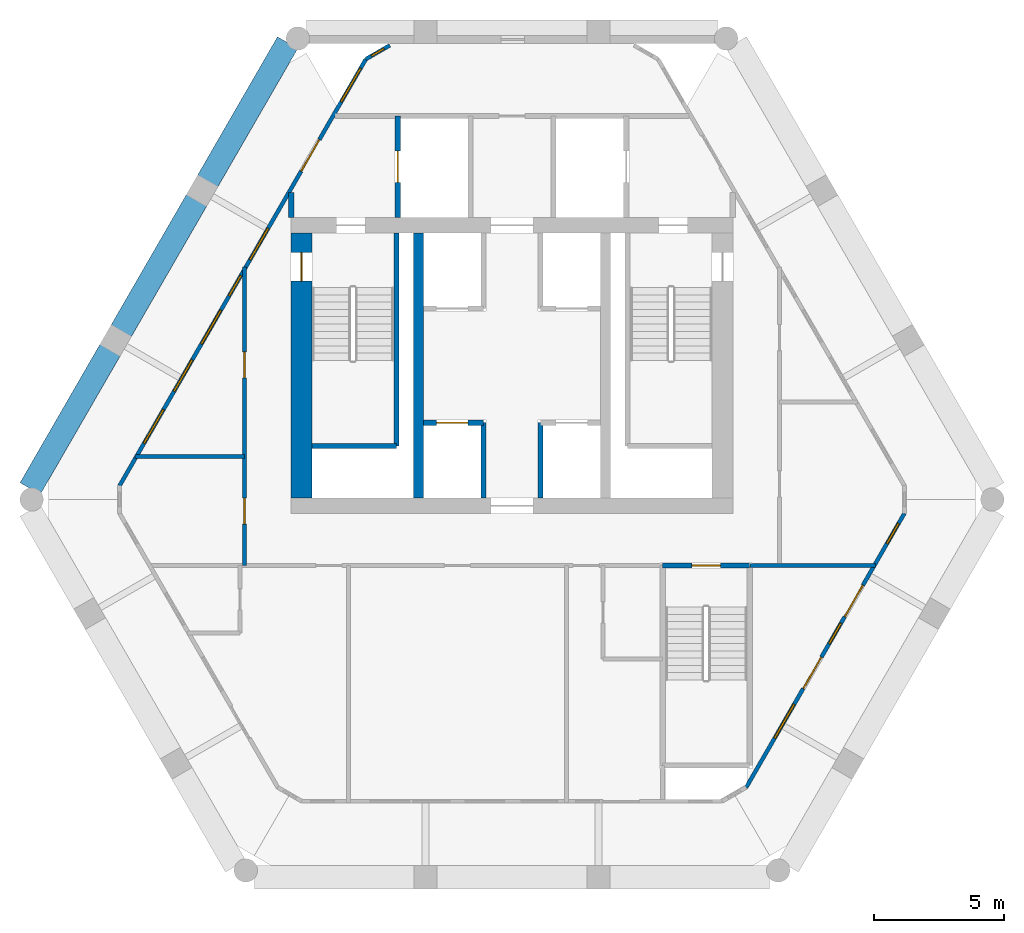
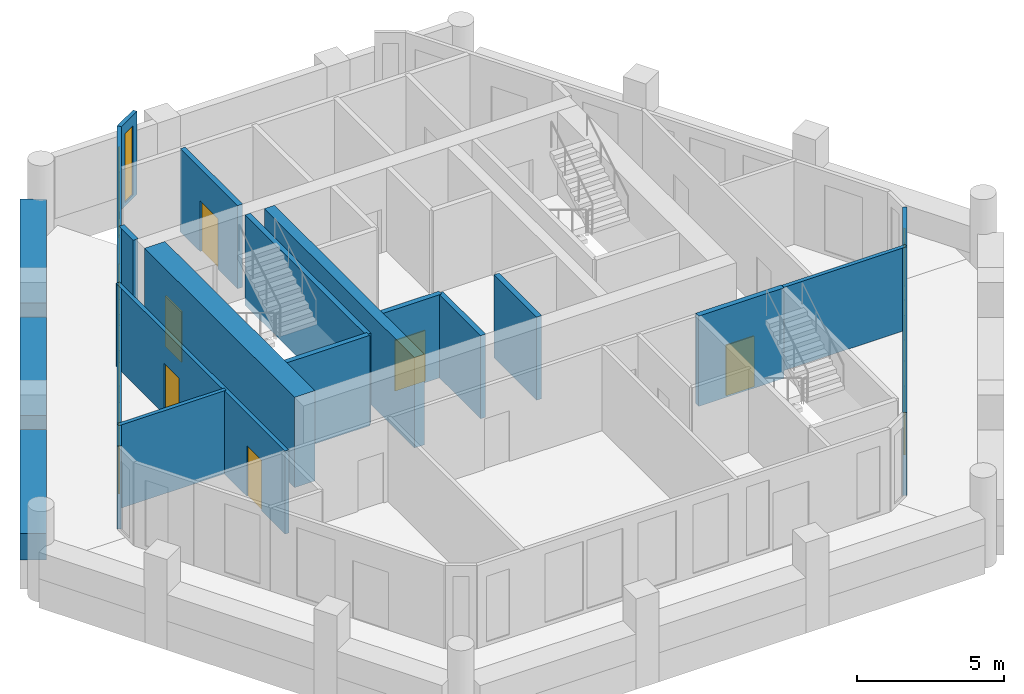
# One storey, part 3 of 6: 19 walls, 10 windows, 9 doors, 19 openings.
"""IFC4 building model written with IfcOpenShell, lengths in metres."""

import ifcopenshell
import ifcopenshell.guid

model = None  # the IFC model being written
_history = None  # IfcOwnerHistory: only IFC2X3 demands one
_inside = {}  # id of a spatial element -> (the spatial element, [elements in it])
_under = {}  # id of a project, library or spatial element -> (it, [spatial elements below it])
_declared = {}  # id of a project -> (the project, [libraries it declares])
_typed = {}  # id of a type object -> (the type object, [elements of that type])
_made_of = {}  # id of a material, layer set ... -> (it, [elements and type objects made of it])


def new_model(schema):
    """Start an empty IFC model of exactly this schema.

    Asked for "IFC4X3", IfcOpenShell would pick the latest addendum, in which some entities
    have other attributes; the version numbers below select the first issue.
    IFC2X3 requires an IfcOwnerHistory on every rooted entity: one is made here for all.
    """
    global model, _history
    if schema == "IFC4X3":
        model = ifcopenshell.file(schema_version=(4, 3, 0, 0))
    else:
        model = ifcopenshell.file(schema=schema)
    _inside.clear()
    _under.clear()
    _declared.clear()
    _typed.clear()
    _made_of.clear()
    _history = None
    if model.schema == "IFC2X3":
        org = make("IfcOrganization", Name="unknown")
        user = make(
            "IfcPersonAndOrganization",
            ThePerson=make("IfcPerson", FamilyName="unknown"),
            TheOrganization=org,
        )
        app = make(
            "IfcApplication",
            ApplicationDeveloper=org,
            Version="unknown",
            ApplicationFullName="unknown",
            ApplicationIdentifier="unknown",
        )
        _history = make(
            "IfcOwnerHistory",
            OwningUser=user,
            OwningApplication=app,
            ChangeAction="ADDED",
            CreationDate=0,
        )
    return model


def make(cls, **values):
    """One entity of the class cls with the attributes given. An attribute that is None is left unset."""
    return model.create_entity(
        cls, **{name: value for name, value in values.items() if value is not None}
    )


def rooted(cls, **values):
    """An entity with a GlobalId (a new one), such as an element, a storey or a relation."""
    return make(cls, GlobalId=ifcopenshell.guid.new(), OwnerHistory=_history, **values)


def si_unit(unit_type, name, prefix=None):
    """IfcSIUnit, for example si_unit("LENGTHUNIT", "METRE", prefix="MILLI")."""
    return make("IfcSIUnit", UnitType=unit_type, Prefix=prefix, Name=name)


def assignment(units):
    """IfcUnitAssignment: the units of a project."""
    return None if units is None else make("IfcUnitAssignment", Units=units)


def point(xyz):
    """IfcCartesianPoint."""
    return None if xyz is None else make("IfcCartesianPoint", Coordinates=xyz)


def direction(xyz):
    """IfcDirection."""
    return None if xyz is None else make("IfcDirection", DirectionRatios=xyz)


def frame(location, z_axis=None, x_axis=None):
    """IfcAxis2Placement3D, a coordinate frame: its origin and axes. An axis left out is left unset."""
    return make(
        "IfcAxis2Placement3D",
        Location=point(location),
        Axis=direction(z_axis),
        RefDirection=direction(x_axis),
    )


def frame_2d(location, x_axis=None):
    """IfcAxis2Placement2D, a coordinate frame in the plane: its origin and x axis."""
    return make(
        "IfcAxis2Placement2D", Location=point(location), RefDirection=direction(x_axis)
    )


def origin():
    """The frame at (0, 0, 0) with its axes left unset."""
    return frame((0.0, 0.0, 0.0))


def place(relative_to, where):
    """IfcLocalPlacement: puts the frame where relative to a parent placement (None: the world)."""
    return make(
        "IfcLocalPlacement", PlacementRelTo=relative_to, RelativePlacement=where
    )


def context(
    kind, dimensions, precision=None, world=None, true_north=None, identifier=None
):
    """IfcGeometricRepresentationContext, for example the 3D "Model" context."""
    return make(
        "IfcGeometricRepresentationContext",
        ContextIdentifier=identifier,
        ContextType=kind,
        CoordinateSpaceDimension=dimensions,
        Precision=precision,
        WorldCoordinateSystem=world,
        TrueNorth=true_north,
    )


def subcontext(parent, identifier, kind, view, scale=None):
    """IfcGeometricRepresentationSubContext, for example "Body" below "Model"."""
    return make(
        "IfcGeometricRepresentationSubContext",
        ContextIdentifier=identifier,
        ContextType=kind,
        ParentContext=parent,
        TargetScale=scale,
        TargetView=view,
    )


def project(units=None, contexts=None):
    """IfcProject with its units and contexts."""
    return rooted(
        "IfcProject",
        Name="project",
        RepresentationContexts=contexts,
        UnitsInContext=assignment(units),
    )


def spatial(cls, under=None, at=None, **own):
    """A site, building, storey or space (cls), placed at a placement, below another one or the project."""
    s = rooted(cls, ObjectPlacement=at, **own)
    if under is not None:
        _under.setdefault(under.id(), (under, []))[1].append(s)
    return s


def profile(cls, at=None, kind="AREA", **sizes):
    """A parametric profile (cls). Its sizes go by their IFC names, for example OverallWidth=200.0."""
    return make(cls, ProfileType=kind, Position=at, **sizes)


def rectangle(**sizes):
    """IfcRectangleProfileDef."""
    return profile("IfcRectangleProfileDef", **sizes)


def extrude(swept, where, along, depth):
    """IfcExtrudedAreaSolid: the profile swept, set in the frame where, extruded along a direction by depth."""
    return make(
        "IfcExtrudedAreaSolid",
        SweptArea=swept,
        Position=where,
        ExtrudedDirection=direction(along),
        Depth=depth,
    )


def shape(context_of_items, identifier, shape_type, items):
    """IfcShapeRepresentation: the items that make up one representation, for example the "Body"."""
    return make(
        "IfcShapeRepresentation",
        ContextOfItems=context_of_items,
        RepresentationIdentifier=identifier,
        RepresentationType=shape_type,
        Items=items,
    )


def material(Name=None, Category=None):
    """IfcMaterial."""
    return make("IfcMaterial", Name=Name, Category=Category)


def layer(
    of_material, thickness, ventilated=None, Name=None, Category=None, Priority=None
):
    """IfcMaterialLayer: one layer of a wall or slab, of a material (None: an air gap)."""
    return make(
        "IfcMaterialLayer",
        Material=of_material,
        LayerThickness=thickness,
        IsVentilated=ventilated,
        Name=Name,
        Category=Category,
        Priority=Priority,
    )


def layer_set(layers, Name=None):
    """IfcMaterialLayerSet."""
    return make("IfcMaterialLayerSet", MaterialLayers=layers, LayerSetName=Name)


def made_of(thing, what):
    """Note that an element or type object is made of a material, layer set ...; save() writes the relation."""
    if what is not None:
        _made_of.setdefault(what.id(), (what, []))[1].append(thing)
    return thing


def type_object(cls, material=None, **own):
    """A type object (cls), such as IfcWallType, which elements share."""
    return made_of(rooted(cls, **own), material)


def element(
    cls,
    number,
    at=None,
    inside=None,
    cuts=None,
    type_object=None,
    material=None,
    context=None,
    identifier="Body",
    shape_type=None,
    held_by="IfcProductDefinitionShape",
    body=None,
    shapes=None,
    **own,
):
    """One element of the class cls, such as IfcWall. Its Tag is "e" and its number.

    at: its placement. inside: the storey or other place that contains it. cuts: it is an
    opening in that element (IfcRelVoidsElement). A single representation is given by context,
    identifier, shape_type and body (its items); several are given by shapes. held_by: the class
    of the entity that holds the representations. save() writes the other relations.
    """
    e = rooted(cls, Tag="e%d" % number, ObjectPlacement=at, **own)
    if body is not None:
        shapes = [shape(context, identifier, shape_type, body)]
    if shapes is not None:
        e.Representation = make(held_by, Representations=shapes)
    if inside is not None:
        _inside.setdefault(inside.id(), (inside, []))[1].append(e)
    if cuts is not None:
        rooted(
            "IfcRelVoidsElement", RelatingBuildingElement=cuts, RelatedOpeningElement=e
        )
    if type_object is not None:
        _typed.setdefault(type_object.id(), (type_object, []))[1].append(e)
    return made_of(e, material)


def fill(opening, filler):
    """IfcRelFillsElement: the door or window that sits in an opening."""
    return rooted(
        "IfcRelFillsElement",
        RelatingOpeningElement=opening,
        RelatedBuildingElement=filler,
    )


def aggregate(whole, parts):
    """IfcRelAggregates: a whole, such as a stair, and the parts it consists of."""
    return rooted("IfcRelAggregates", RelatingObject=whole, RelatedObjects=parts)


def save(model, path):
    """Write the relations noted so far, then the file.

    IfcRelAggregates (storeys below a building ...), IfcRelContainedInSpatialStructure (elements
    in a storey), IfcRelDefinesByType, IfcRelAssociatesMaterial and IfcRelDeclares: one each for
    every whole, place, type object, material and project.
    """
    for whole, parts in _under.values():
        aggregate(whole, parts)
    for where, things in _inside.values():
        rooted(
            "IfcRelContainedInSpatialStructure",
            RelatedElements=things,
            RelatingStructure=where,
        )
    for kind, things in _typed.values():
        rooted("IfcRelDefinesByType", RelatedObjects=things, RelatingType=kind)
    for what, things in _made_of.values():
        rooted("IfcRelAssociatesMaterial", RelatedObjects=things, RelatingMaterial=what)
    for by, libraries in _declared.values():
        rooted("IfcRelDeclares", RelatingContext=by, RelatedDefinitions=libraries)
    model.write(path)


model = new_model("IFC4")

# Units and contexts
model_context = context("Model", 3, precision=1e-05, world=origin(), true_north=direction((0.0, 1.0)))
body_context = subcontext(model_context, "Body", "Model", "MODEL_VIEW")
ifc_project = project(units=[si_unit("LENGTHUNIT", "METRE"), si_unit("AREAUNIT", "SQUARE_METRE"), si_unit("VOLUMEUNIT", "CUBIC_METRE"), si_unit("PLANEANGLEUNIT", "RADIAN"), si_unit("MASSUNIT", "GRAM", prefix="KILO")], contexts=[model_context])

# Site, building, storey
site_placement = place(None, origin())
site = spatial("IfcSite", under=ifc_project, at=site_placement, CompositionType="ELEMENT")
building_placement = place(site_placement, origin())
building = spatial("IfcBuilding", under=site, at=building_placement, Name="Ostrander Bayou Hotel Tower", CompositionType="ELEMENT")
storey_placement = place(building_placement, frame((0.0, 0.0, 271.25)))
storey = spatial("IfcBuildingStorey", under=building, at=storey_placement, Name="L67", CompositionType="ELEMENT", Elevation=271.25)

# Wall, opening, door
ifc_material_1 = material(Name="Concrete f'c 60 MPa", Category="concrete")
ifc_layer_1 = layer(ifc_material_1, 0.800048828125)
ifc_layer_set_1 = layer_set([ifc_layer_1], Name="CW11 core spine wall 800 mm f'c 60 MPa")
wall_type_1 = type_object("IfcWallType", Name="CW11 core spine wall 800 mm f'c 60 MPa", PredefinedType="SHEAR", material=ifc_layer_set_1)
wall_1_placement = place(storey_placement, frame((-8.10009765625, -1.10009765625, -0.300048828125), z_axis=(0.0, 0.0, 1.0), x_axis=(0.0, 1.0, 0.0)))
wall_1 = element("IfcWall", 1, at=wall_1_placement, inside=storey, type_object=wall_type_1, Name="CW11 L67 W", PredefinedType="SHEAR", context=body_context, shape_type="SweptSolid", body=[
    extrude(rectangle(XDim=10.2001953125, YDim=0.800048828125, at=frame_2d((5.10009765625, 0.0))), origin(), (0.0, 0.0, 1.0), 3.75),
])
opening_1_placement = place(wall_1_placement, frame((8.35009765625, 0.0, 0.0)))
opening_1 = element("IfcOpeningElement", 2, at=opening_1_placement, cuts=wall_1, Name="Opening T66-008", PredefinedType="OPENING", context=body_context, shape_type="SweptSolid", body=[
    extrude(rectangle(XDim=1.10009765625, YDim=2.10009765625, at=frame_2d((0.550048828125, 1.050048828125))), frame((0.0, 0.39990234375, 0.0), z_axis=(0.0, -1.0, 0.0), x_axis=(1.0, 0.0, 0.0)), (0.0, 0.0, 1.0), 0.800048828125),
])
ifc_material_2 = material(Name="Timber door leaf", Category="wood")
door_type_1 = type_object("IfcDoorType", Name="D5 stair door 1100 x 2100 mm, 90 minute", OperationType="SINGLE_SWING_LEFT", PredefinedType="DOOR", material=ifc_material_2)
door_1_placement = place(opening_1_placement, origin())
door_1 = element("IfcDoor", 3, at=door_1_placement, inside=storey, type_object=door_type_1, Name="dr:L67:008", OperationType="SINGLE_SWING_RIGHT", OverallHeight=2.10009765625, OverallWidth=1.10009765625, PredefinedType="DOOR", context=body_context, shape_type="SweptSolid", body=[
    extrude(rectangle(XDim=1.10009765625, YDim=2.10009765625, at=frame_2d((0.550048828125, 1.050048828125))), frame((0.0, 0.02490234375, 0.0), z_axis=(0.0, -1.0, 0.0), x_axis=(1.0, 0.0, 0.0)), (0.0, 0.0, 1.0), 0.050048828125),
])
fill(opening_1, door_1)

# Wall
ifc_material_3 = material(Name="Concrete f'c 60 MPa", Category="concrete")
ifc_layer_2 = layer(ifc_material_3, 0.39990234375)
ifc_layer_set_2 = layer_set([ifc_layer_2], Name="CW12 core bank wall 400 mm f'c 60 MPa")
wall_type_2 = type_object("IfcWallType", Name="CW12 core bank wall 400 mm f'c 60 MPa", PredefinedType="SHEAR", material=ifc_layer_set_2)
wall_2_placement = place(storey_placement, frame((-3.60009765625, -1.10009765625, -0.300048828125), z_axis=(0.0, 0.0, 1.0), x_axis=(0.0, 1.0, 0.0)))
element("IfcWall", 4, at=wall_2_placement, inside=storey, type_object=wall_type_2, Name="CW12 L67 CW", PredefinedType="SHEAR", context=body_context, shape_type="SweptSolid", body=[
    extrude(rectangle(XDim=10.2001953125, YDim=0.39990234375, at=frame_2d((5.10009765625, 0.0))), origin(), (0.0, 0.0, 1.0), 3.75),
])

# Wall, openings, door, windows
ifc_material_4 = material(Name="Aluminium framed insulated wall", Category="aluminium")
ifc_layer_3 = layer(ifc_material_4, 0.14990234375)
ifc_layer_set_3 = layer_set([ifc_layer_3], Name="GW1 glass-line wall 150 mm")
wall_type_3 = type_object("IfcWallType", Name="GW1 glass-line wall 150 mm", PredefinedType="SOLIDWALL", material=ifc_layer_set_3)
wall_3_placement = place(storey_placement, frame((-5.6259765625, 15.79248046875, 0.0), z_axis=(0.0, 0.0, 1.0), x_axis=(-0.499998195608, -0.866026445548, 0.0)))
wall_3 = element("IfcWall", 5, at=wall_3_placement, inside=storey, type_object=wall_type_3, Name="GW1 L67 NW 1", PredefinedType="SOLIDWALL", context=body_context, shape_type="SweptSolid", body=[
    extrude(rectangle(XDim=18.9560546875, YDim=0.14990234375, at=frame_2d((9.47802734375, 0.0))), origin(), (0.0, 0.0, 1.0), 3.449951171875),
])
opening_2_placement = place(wall_3_placement, frame((3.577392578125, 0.0, 0.0)))
opening_2 = element("IfcOpeningElement", 6, at=opening_2_placement, cuts=wall_3, Name="Opening T66-800", PredefinedType="OPENING", context=body_context, shape_type="SweptSolid", body=[
    extrude(rectangle(XDim=1.39990234375, YDim=2.39990234375, at=frame_2d((0.699951171875, 1.199951171875))), frame((0.0, 0.074951171875, 0.0), z_axis=(0.0, -1.0, 0.0), x_axis=(1.0, 0.0, 0.0)), (0.0, 0.0, 1.0), 0.14990234375),
])
opening_3_placement = place(wall_3_placement, frame((9.6201171875, 0.0, 0.14990234375)))
opening_3 = element("IfcOpeningElement", 7, at=opening_3_placement, cuts=wall_3, Name="Opening W18", PredefinedType="OPENING", context=body_context, shape_type="SweptSolid", body=[
    extrude(rectangle(XDim=0.89990234375, YDim=2.85009765625, at=frame_2d((0.449951171875, 1.425048828125))), frame((0.0, 0.074951171875, 0.0), z_axis=(0.0, -1.0, 0.0), x_axis=(1.0, 0.0, 0.0)), (0.0, 0.0, 1.0), 0.14990234375),
])
opening_4_placement = place(wall_3_placement, frame((7.52001953125, 0.0, 0.14990234375)))
opening_4 = element("IfcOpeningElement", 8, at=opening_4_placement, cuts=wall_3, Name="Opening W14", PredefinedType="OPENING", context=body_context, shape_type="SweptSolid", body=[
    extrude(rectangle(XDim=1.39990234375, YDim=2.85009765625, at=frame_2d((0.699951171875, 1.425048828125))), frame((0.0, 0.074951171875, 0.0), z_axis=(0.0, -1.0, 0.0), x_axis=(1.0, 0.0, 0.0)), (0.0, 0.0, 1.0), 0.14990234375),
])
opening_5_placement = place(wall_3_placement, frame((11.163818359375, 0.0, 0.14990234375)))
opening_5 = element("IfcOpeningElement", 9, at=opening_5_placement, cuts=wall_3, Name="Opening W4", PredefinedType="OPENING", context=body_context, shape_type="SweptSolid", body=[
    extrude(rectangle(XDim=1.5, YDim=2.85009765625, at=frame_2d((0.75, 1.425048828125))), frame((0.0, 0.074951171875, 0.0), z_axis=(0.0, -1.0, 0.0), x_axis=(1.0, 0.0, 0.0)), (0.0, 0.0, 1.0), 0.14990234375),
])
opening_6_placement = place(wall_3_placement, frame((13.36376953125, 0.0, 0.14990234375)))
opening_6 = element("IfcOpeningElement", 10, at=opening_6_placement, cuts=wall_3, Name="Opening W14", PredefinedType="OPENING", context=body_context, shape_type="SweptSolid", body=[
    extrude(rectangle(XDim=1.39990234375, YDim=2.85009765625, at=frame_2d((0.699951171875, 1.425048828125))), frame((0.0, 0.074951171875, 0.0), z_axis=(0.0, -1.0, 0.0), x_axis=(1.0, 0.0, 0.0)), (0.0, 0.0, 1.0), 0.14990234375),
])
opening_7_placement = place(wall_3_placement, frame((0.39404296875, 0.0, 0.14990234375)))
opening_7 = element("IfcOpeningElement", 11, at=opening_7_placement, cuts=wall_3, Name="Opening W4", PredefinedType="OPENING", context=body_context, shape_type="SweptSolid", body=[
    extrude(rectangle(XDim=1.5, YDim=2.72998046875, at=frame_2d((0.75, 1.364990234375))), frame((0.0, 0.074951171875, 0.0), z_axis=(0.0, -1.0, 0.0), x_axis=(1.0, 0.0, 0.0)), (0.0, 0.0, 1.0), 0.14990234375),
])
opening_8_placement = place(wall_3_placement, frame((15.573974609375, 0.0, 0.14990234375)))
opening_8 = element("IfcOpeningElement", 12, at=opening_8_placement, cuts=wall_3, Name="Opening W4", PredefinedType="OPENING", context=body_context, shape_type="SweptSolid", body=[
    extrude(rectangle(XDim=1.5, YDim=2.72998046875, at=frame_2d((0.75, 1.364990234375))), frame((0.0, 0.074951171875, 0.0), z_axis=(0.0, -1.0, 0.0), x_axis=(1.0, 0.0, 0.0)), (0.0, 0.0, 1.0), 0.14990234375),
])
ifc_material_5 = material(Name="Aluminium and clear glass", Category="aluminium")
door_type_2 = type_object("IfcDoorType", Name="SD4 sliding glass door 1400 mm, zone 4", OperationType="SLIDING_TO_LEFT", PredefinedType="DOOR", material=ifc_material_5)
door_2_placement = place(opening_2_placement, origin())
door_2 = element("IfcDoor", 13, at=door_2_placement, inside=storey, type_object=door_type_2, Name="SD4 L67 NW 1", OperationType="SLIDING_TO_LEFT", OverallHeight=2.39990234375, OverallWidth=1.39990234375, PredefinedType="DOOR", context=body_context, shape_type="SweptSolid", body=[
    extrude(rectangle(XDim=1.39990234375, YDim=2.39990234375, at=frame_2d((0.699951171875, 1.199951171875))), frame((0.0, 0.02490234375, 0.0), z_axis=(0.0, -1.0, 0.0), x_axis=(1.0, 0.0, 0.0)), (0.0, 0.0, 1.0), 0.050048828125),
])
fill(opening_2, door_2)
ifc_material_6 = material(Name="Aluminium and clear glass", Category="aluminium")
window_type_1 = type_object("IfcWindowType", Name="W14 fixed window 1400 mm, bath bay, zone 4", PartitioningType="SINGLE_PANEL", PredefinedType="WINDOW", material=ifc_material_6)
window_1_placement = place(opening_4_placement, origin())
window_1 = element("IfcWindow", 14, at=window_1_placement, inside=storey, type_object=window_type_1, Name="W14 L67 NW 2", OverallHeight=2.85009765625, OverallWidth=1.39990234375, PartitioningType="SINGLE_PANEL", PredefinedType="WINDOW", context=body_context, shape_type="SweptSolid", body=[
    extrude(rectangle(XDim=1.39990234375, YDim=2.85009765625, at=frame_2d((0.699951171875, 1.425048828125))), frame((0.0, 0.030029296875, 0.0), z_axis=(0.0, -1.0, 0.0), x_axis=(1.0, 0.0, 0.0)), (0.0, 0.0, 1.0), 0.06005859375),
])
fill(opening_4, window_1)
window_2_placement = place(opening_6_placement, origin())
window_2 = element("IfcWindow", 15, at=window_2_placement, inside=storey, type_object=window_type_1, Name="W14 L67 NW 3", OverallHeight=2.85009765625, OverallWidth=1.39990234375, PartitioningType="SINGLE_PANEL", PredefinedType="WINDOW", context=body_context, shape_type="SweptSolid", body=[
    extrude(rectangle(XDim=1.39990234375, YDim=2.85009765625, at=frame_2d((0.699951171875, 1.425048828125))), frame((0.0, 0.030029296875, 0.0), z_axis=(0.0, -1.0, 0.0), x_axis=(1.0, 0.0, 0.0)), (0.0, 0.0, 1.0), 0.06005859375),
])
fill(opening_6, window_2)
ifc_material_7 = material(Name="Aluminium and clear glass", Category="aluminium")
window_type_2 = type_object("IfcWindowType", Name="W18 window 900 mm, zone 4", PartitioningType="SINGLE_PANEL", PredefinedType="WINDOW", material=ifc_material_7)
window_3_placement = place(opening_3_placement, origin())
window_3 = element("IfcWindow", 16, at=window_3_placement, inside=storey, type_object=window_type_2, Name="W18 L67 NW 2", OverallHeight=2.85009765625, OverallWidth=0.89990234375, PartitioningType="SINGLE_PANEL", PredefinedType="WINDOW", context=body_context, shape_type="SweptSolid", body=[
    extrude(rectangle(XDim=0.89990234375, YDim=2.85009765625, at=frame_2d((0.449951171875, 1.425048828125))), frame((0.0, 0.030029296875, 0.0), z_axis=(0.0, -1.0, 0.0), x_axis=(1.0, 0.0, 0.0)), (0.0, 0.0, 1.0), 0.06005859375),
])
fill(opening_3, window_3)
ifc_material_8 = material(Name="Aluminium and clear glass", Category="aluminium")
window_type_3 = type_object("IfcWindowType", Name="W4 fixed window 1500 mm, zone 4", PartitioningType="SINGLE_PANEL", PredefinedType="WINDOW", material=ifc_material_8)
window_4_placement = place(opening_5_placement, origin())
window_4 = element("IfcWindow", 17, at=window_4_placement, inside=storey, type_object=window_type_3, Name="W4 L67 NW 3", OverallHeight=2.85009765625, OverallWidth=1.5, PartitioningType="SINGLE_PANEL", PredefinedType="WINDOW", context=body_context, shape_type="SweptSolid", body=[
    extrude(rectangle(XDim=1.5, YDim=2.85009765625, at=frame_2d((0.75, 1.425048828125))), frame((0.0, 0.030029296875, 0.0), z_axis=(0.0, -1.0, 0.0), x_axis=(1.0, 0.0, 0.0)), (0.0, 0.0, 1.0), 0.06005859375),
])
fill(opening_5, window_4)
window_5_placement = place(opening_7_placement, origin())
window_5 = element("IfcWindow", 18, at=window_5_placement, inside=storey, type_object=window_type_3, Name="W4 L67 NW E11", OverallHeight=2.72998046875, OverallWidth=1.5, PartitioningType="SINGLE_PANEL", PredefinedType="WINDOW", context=body_context, shape_type="SweptSolid", body=[
    extrude(rectangle(XDim=1.5, YDim=2.72998046875, at=frame_2d((0.75, 1.364990234375))), frame((0.0, 0.030029296875, 0.0), z_axis=(0.0, -1.0, 0.0), x_axis=(1.0, 0.0, 0.0)), (0.0, 0.0, 1.0), 0.06005859375),
])
fill(opening_7, window_5)
window_6_placement = place(opening_8_placement, origin())
window_6 = element("IfcWindow", 19, at=window_6_placement, inside=storey, type_object=window_type_3, Name="W4 L67 NW E21", OverallHeight=2.72998046875, OverallWidth=1.5, PartitioningType="SINGLE_PANEL", PredefinedType="WINDOW", context=body_context, shape_type="SweptSolid", body=[
    extrude(rectangle(XDim=1.5, YDim=2.72998046875, at=frame_2d((0.75, 1.364990234375))), frame((0.0, 0.030029296875, 0.0), z_axis=(0.0, -1.0, 0.0), x_axis=(1.0, 0.0, 0.0)), (0.0, 0.0, 1.0), 0.06005859375),
])
fill(opening_8, window_6)

# Wall, openings, doors, windows
wall_4_placement = place(storey_placement, frame((9.0146484375, -12.236083984375, 0.0), z_axis=(0.0, 0.0, 1.0), x_axis=(0.499998361514, 0.866026349763, 0.0)))
wall_4 = element("IfcWall", 20, at=wall_4_placement, inside=storey, type_object=wall_type_3, Name="GW1 L67 SE 1", PredefinedType="SOLIDWALL", context=body_context, shape_type="SweptSolid", body=[
    extrude(rectangle(XDim=12.1787109375, YDim=0.14990234375, at=frame_2d((6.08935546875, 0.0))), origin(), (0.0, 0.0, 1.0), 3.449951171875),
])
opening_9_placement = place(wall_4_placement, frame((2.189453125, 0.0, 0.14990234375)))
opening_9 = element("IfcOpeningElement", 21, at=opening_9_placement, cuts=wall_4, Name="Opening W4", PredefinedType="OPENING", context=body_context, shape_type="SweptSolid", body=[
    extrude(rectangle(XDim=1.5, YDim=2.85009765625, at=frame_2d((0.75, 1.425048828125))), frame((0.0, 0.074951171875, 0.0), z_axis=(0.0, -1.0, 0.0), x_axis=(1.0, 0.0, 0.0)), (0.0, 0.0, 1.0), 0.14990234375),
])
opening_10_placement = place(wall_4_placement, frame((4.389404296875, 0.0, 0.0)))
opening_10 = element("IfcOpeningElement", 22, at=opening_10_placement, cuts=wall_4, Name="Opening T66-803", PredefinedType="OPENING", context=body_context, shape_type="SweptSolid", body=[
    extrude(rectangle(XDim=1.39990234375, YDim=2.39990234375, at=frame_2d((0.699951171875, 1.199951171875))), frame((0.0, 0.074951171875, 0.0), z_axis=(0.0, -1.0, 0.0), x_axis=(1.0, 0.0, 0.0)), (0.0, 0.0, 1.0), 0.14990234375),
])
opening_11_placement = place(wall_4_placement, frame((6.389404296875, 0.0, 0.14990234375)))
opening_11 = element("IfcOpeningElement", 23, at=opening_11_placement, cuts=wall_4, Name="Opening W18", PredefinedType="OPENING", context=body_context, shape_type="SweptSolid", body=[
    extrude(rectangle(XDim=0.89990234375, YDim=2.85009765625, at=frame_2d((0.449951171875, 1.425048828125))), frame((0.0, 0.074951171875, 0.0), z_axis=(0.0, -1.0, 0.0), x_axis=(1.0, 0.0, 0.0)), (0.0, 0.0, 1.0), 0.14990234375),
])
opening_12_placement = place(wall_4_placement, frame((7.58251953125, 0.0, 0.0)))
opening_12 = element("IfcOpeningElement", 24, at=opening_12_placement, cuts=wall_4, Name="Opening T66-804", PredefinedType="OPENING", context=body_context, shape_type="SweptSolid", body=[
    extrude(rectangle(XDim=1.39990234375, YDim=2.39990234375, at=frame_2d((0.699951171875, 1.199951171875))), frame((0.0, 0.074951171875, 0.0), z_axis=(0.0, -1.0, 0.0), x_axis=(1.0, 0.0, 0.0)), (0.0, 0.0, 1.0), 0.14990234375),
])
opening_13_placement = place(wall_4_placement, frame((10.833984375, 0.0, 0.14990234375)))
opening_13 = element("IfcOpeningElement", 25, at=opening_13_placement, cuts=wall_4, Name="Opening W18", PredefinedType="OPENING", context=body_context, shape_type="SweptSolid", body=[
    extrude(rectangle(XDim=0.89990234375, YDim=2.72998046875, at=frame_2d((0.449951171875, 1.364990234375))), frame((0.0, 0.074951171875, 0.0), z_axis=(0.0, -1.0, 0.0), x_axis=(1.0, 0.0, 0.0)), (0.0, 0.0, 1.0), 0.14990234375),
])
door_3_placement = place(opening_10_placement, origin())
door_3 = element("IfcDoor", 26, at=door_3_placement, inside=storey, type_object=door_type_2, Name="SD4 L67 SE 1", OperationType="SLIDING_TO_LEFT", OverallHeight=2.39990234375, OverallWidth=1.39990234375, PredefinedType="DOOR", context=body_context, shape_type="SweptSolid", body=[
    extrude(rectangle(XDim=1.39990234375, YDim=2.39990234375, at=frame_2d((0.699951171875, 1.199951171875))), frame((0.0, 0.02490234375, 0.0), z_axis=(0.0, -1.0, 0.0), x_axis=(1.0, 0.0, 0.0)), (0.0, 0.0, 1.0), 0.050048828125),
])
fill(opening_10, door_3)
door_4_placement = place(opening_12_placement, origin())
door_4 = element("IfcDoor", 27, at=door_4_placement, inside=storey, type_object=door_type_2, Name="SD4 L67 SE 2", OperationType="SLIDING_TO_RIGHT", OverallHeight=2.39990234375, OverallWidth=1.39990234375, PredefinedType="DOOR", context=body_context, shape_type="SweptSolid", body=[
    extrude(rectangle(XDim=1.39990234375, YDim=2.39990234375, at=frame_2d((0.699951171875, 1.199951171875))), frame((0.0, 0.02490234375, 0.0), z_axis=(0.0, -1.0, 0.0), x_axis=(1.0, 0.0, 0.0)), (0.0, 0.0, 1.0), 0.050048828125),
])
fill(opening_12, door_4)
window_7_placement = place(opening_11_placement, origin())
window_7 = element("IfcWindow", 28, at=window_7_placement, inside=storey, type_object=window_type_2, Name="W18 L67 SE 2", OverallHeight=2.85009765625, OverallWidth=0.89990234375, PartitioningType="SINGLE_PANEL", PredefinedType="WINDOW", context=body_context, shape_type="SweptSolid", body=[
    extrude(rectangle(XDim=0.89990234375, YDim=2.85009765625, at=frame_2d((0.449951171875, 1.425048828125))), frame((0.0, 0.030029296875, 0.0), z_axis=(0.0, -1.0, 0.0), x_axis=(1.0, 0.0, 0.0)), (0.0, 0.0, 1.0), 0.06005859375),
])
fill(opening_11, window_7)
window_8_placement = place(opening_13_placement, origin())
window_8 = element("IfcWindow", 29, at=window_8_placement, inside=storey, type_object=window_type_2, Name="W18 L67 SE E21", OverallHeight=2.72998046875, OverallWidth=0.89990234375, PartitioningType="SINGLE_PANEL", PredefinedType="WINDOW", context=body_context, shape_type="SweptSolid", body=[
    extrude(rectangle(XDim=0.89990234375, YDim=2.72998046875, at=frame_2d((0.449951171875, 1.364990234375))), frame((0.0, 0.030029296875, 0.0), z_axis=(0.0, -1.0, 0.0), x_axis=(1.0, 0.0, 0.0)), (0.0, 0.0, 1.0), 0.06005859375),
])
fill(opening_13, window_8)
window_9_placement = place(opening_9_placement, origin())
window_9 = element("IfcWindow", 30, at=window_9_placement, inside=storey, type_object=window_type_3, Name="W4 L67 SE 1", OverallHeight=2.85009765625, OverallWidth=1.5, PartitioningType="SINGLE_PANEL", PredefinedType="WINDOW", context=body_context, shape_type="SweptSolid", body=[
    extrude(rectangle(XDim=1.5, YDim=2.85009765625, at=frame_2d((0.75, 1.425048828125))), frame((0.0, 0.030029296875, 0.0), z_axis=(0.0, -1.0, 0.0), x_axis=(1.0, 0.0, 0.0)), (0.0, 0.0, 1.0), 0.06005859375),
])
fill(opening_9, window_9)

# Wall, opening, window
wall_5_placement = place(storey_placement, frame((-4.70361328125, 16.324951171875, 0.0), z_axis=(0.0, 0.0, 1.0), x_axis=(-0.866048165231, -0.499960573946, 0.0)))
wall_5 = element("IfcWall", 31, at=wall_5_placement, inside=storey, type_object=wall_type_3, Name="GW1 L67 corner 1", PredefinedType="SOLIDWALL", context=body_context, shape_type="SweptSolid", body=[
    extrude(rectangle(XDim=1.06494140625, YDim=0.14990234375, at=frame_2d((0.532470703125, 0.0))), origin(), (0.0, 0.0, 1.0), 3.449951171875),
])
opening_14_placement = place(wall_5_placement, frame((0.257568359375, 0.0, 0.14990234375)))
opening_14 = element("IfcOpeningElement", 32, at=opening_14_placement, cuts=wall_5, Name="Opening W19", PredefinedType="OPENING", context=body_context, shape_type="SweptSolid", body=[
    extrude(rectangle(XDim=0.550048828125, YDim=2.85009765625, at=frame_2d((0.27490234375, 1.425048828125))), frame((0.0, 0.074951171875, 0.0), z_axis=(0.0, -1.0, 0.0), x_axis=(1.0, 0.0, 0.0)), (0.0, 0.0, 1.0), 0.14990234375),
])
ifc_material_9 = material(Name="Aluminium and clear glass", Category="aluminium")
window_type_4 = type_object("IfcWindowType", Name="W19 corner window 550 mm", PartitioningType="SINGLE_PANEL", PredefinedType="WINDOW", material=ifc_material_9)
window_10_placement = place(opening_14_placement, origin())
window_10 = element("IfcWindow", 33, at=window_10_placement, inside=storey, type_object=window_type_4, Name="W19 L67 corner 1", OverallHeight=2.85009765625, OverallWidth=0.550048828125, PartitioningType="SINGLE_PANEL", PredefinedType="WINDOW", context=body_context, shape_type="SweptSolid", body=[
    extrude(rectangle(XDim=0.550048828125, YDim=2.85009765625, at=frame_2d((0.27490234375, 1.425048828125))), frame((0.0, 0.030029296875, 0.0), z_axis=(0.0, -1.0, 0.0), x_axis=(1.0, 0.0, 0.0)), (0.0, 0.0, 1.0), 0.06005859375),
])
fill(opening_14, window_10)

# Walls
ifc_material_10 = material(Name="Concrete f'c 40 MPa", Category="concrete")
ifc_layer_4 = layer(ifc_material_10, 0.89990234375)
ifc_layer_set_4 = layer_set([ifc_layer_4], Name="PA1 stone-faced parapet 900 mm")
wall_type_4 = type_object("IfcWallType", Name="PA1 stone-faced parapet 900 mm", PredefinedType="PARAPET", material=ifc_layer_set_4)
wall_6_placement = place(storey_placement, frame((-8.63671875, 16.427978515625, 0.0), z_axis=(0.0, 0.0, 1.0), x_axis=(-0.499984362083, -0.866034432152, 0.0)))
element("IfcWall", 34, at=wall_6_placement, inside=storey, type_object=wall_type_4, Name="PA1 L67 NW-1", PredefinedType="PARAPET", context=body_context, shape_type="SweptSolid", body=[
    extrude(rectangle(XDim=6.159423828125, YDim=0.89990234375, at=frame_2d((3.07958984375, 0.0))), origin(), (0.0, 0.0, 1.0), 1.10009765625),
])
wall_7_placement = place(storey_placement, frame((-12.13623046875, 10.366455078125, 0.0), z_axis=(0.0, 0.0, 1.0), x_axis=(-0.499997265274, -0.866026982673, 0.0)))
element("IfcWall", 35, at=wall_7_placement, inside=storey, type_object=wall_type_4, Name="PA1 L67 NW-2", PredefinedType="PARAPET", context=body_context, shape_type="SweptSolid", body=[
    extrude(rectangle(XDim=5.81884765625, YDim=0.89990234375, at=frame_2d((2.909423828125, 0.0))), origin(), (0.0, 0.0, 1.0), 1.10009765625),
])
wall_8_placement = place(storey_placement, frame((-15.4658203125, 4.599609375, 0.0), z_axis=(0.0, 0.0, 1.0), x_axis=(-0.499984362083, -0.866034432152, 0.0)))
element("IfcWall", 36, at=wall_8_placement, inside=storey, type_object=wall_type_4, Name="PA1 L67 NW-3", PredefinedType="PARAPET", context=body_context, shape_type="SweptSolid", body=[
    extrude(rectangle(XDim=6.159423828125, YDim=0.89990234375, at=frame_2d((3.07958984375, 0.0))), origin(), (0.0, 0.0, 1.0), 1.10009765625),
])
ifc_material_11 = material(Name="Masonry block", Category="masonry")
ifc_layer_5 = layer(ifc_material_11, 0.199951171875)
ifc_layer_set_5 = layer_set([ifc_layer_5], Name="PT5 stair enclosure wall 200 mm masonry, 2 hour")
wall_type_5 = type_object("IfcWallType", Name="PT5 stair enclosure wall 200 mm masonry, 2 hour", PredefinedType="PARTITIONING", material=ifc_layer_set_5)
wall_9_placement = place(storey_placement, frame((-8.5, 9.699951171875, 0.0), z_axis=(0.0, 0.0, 1.0), x_axis=(0.0, 1.0, 0.0)))
element("IfcWall", 37, at=wall_9_placement, inside=storey, type_object=wall_type_5, Name="cs:L67:019", PredefinedType="PARTITIONING", context=body_context, shape_type="SweptSolid", body=[
    extrude(rectangle(XDim=0.964599609375, YDim=0.199951171875, at=frame_2d((0.482421875, 0.0))), origin(), (0.0, 0.0, 1.0), 3.449951171875),
])

# Wall, opening, door
wall_10_placement = place(storey_placement, frame((-4.39990234375, 9.699951171875, 0.0), z_axis=(0.0, 0.0, 1.0), x_axis=(0.0, 1.0, 0.0)))
wall_10 = element("IfcWall", 38, at=wall_10_placement, inside=storey, type_object=wall_type_5, Name="cs:L67:021", PredefinedType="PARTITIONING", context=body_context, shape_type="SweptSolid", body=[
    extrude(rectangle(XDim=3.900146484375, YDim=0.199951171875, at=frame_2d((1.9501953125, 0.0))), origin(), (0.0, 0.0, 1.0), 3.449951171875),
])
opening_15_placement = place(wall_10_placement, frame((1.35009765625, 0.0, 0.0)))
opening_15 = element("IfcOpeningElement", 39, at=opening_15_placement, cuts=wall_10, Name="Opening T66-012", PredefinedType="OPENING", context=body_context, shape_type="SweptSolid", body=[
    extrude(rectangle(XDim=1.199951171875, YDim=2.10009765625, at=frame_2d((0.60009765625, 1.050048828125))), frame((0.0, 0.10009765625, 0.0), z_axis=(0.0, -1.0, 0.0), x_axis=(1.0, 0.0, 0.0)), (0.0, 0.0, 1.0), 0.199951171875),
])
ifc_material_12 = material(Name="Stainless steel sliding door", Category="steel")
door_type_3 = type_object("IfcDoorType", Name="LD1 lift landing door 1200 x 2100 mm", OperationType="SINGLE_SWING_LEFT", PredefinedType="DOOR", material=ifc_material_12)
door_5_placement = place(opening_15_placement, origin())
door_5 = element("IfcDoor", 40, at=door_5_placement, inside=storey, type_object=door_type_3, Name="dr:L67:012", OperationType="SLIDING_TO_LEFT", OverallHeight=2.10009765625, OverallWidth=1.199951171875, PredefinedType="DOOR", context=body_context, shape_type="SweptSolid", body=[
    extrude(rectangle(XDim=1.199951171875, YDim=2.10009765625, at=frame_2d((0.60009765625, 1.050048828125))), frame((0.0, 0.02490234375, 0.0), z_axis=(0.0, -1.0, 0.0), x_axis=(1.0, 0.0, 0.0)), (0.0, 0.0, 1.0), 0.050048828125),
])
fill(opening_15, door_5)

ifc_material_13 = material(Name="Masonry block", Category="masonry")
ifc_layer_6 = layer(ifc_material_13, 0.199951171875)
ifc_layer_set_6 = layer_set([ifc_layer_6], Name="PT6 lift shaft wall 200 mm masonry, 2 hour")
wall_type_6 = type_object("IfcWallType", Name="PT6 lift shaft wall 200 mm masonry, 2 hour", PredefinedType="PARTITIONING", material=ifc_layer_set_6)
wall_11_placement = place(storey_placement, frame((-3.39990234375, 1.800048828125, 0.0), z_axis=(0.0, 0.0, 1.0), x_axis=(1.0, 0.0, 0.0)))
wall_11 = element("IfcWall", 41, at=wall_11_placement, inside=storey, type_object=wall_type_6, Name="cs:L67:001", PredefinedType="PARTITIONING", context=body_context, shape_type="SweptSolid", body=[
    extrude(rectangle(XDim=2.2998046875, YDim=0.199951171875, at=frame_2d((1.14990234375, 0.0))), origin(), (0.0, 0.0, 1.0), 3.449951171875),
])
opening_16_placement = place(wall_11_placement, frame((0.5, 0.0, 0.0)))
opening_16 = element("IfcOpeningElement", 42, at=opening_16_placement, cuts=wall_11, Name="Opening T66-001", PredefinedType="OPENING", context=body_context, shape_type="SweptSolid", body=[
    extrude(rectangle(XDim=1.199951171875, YDim=2.10009765625, at=frame_2d((0.60009765625, 1.050048828125))), frame((0.0, 0.10009765625, 0.0), z_axis=(0.0, -1.0, 0.0), x_axis=(1.0, 0.0, 0.0)), (0.0, 0.0, 1.0), 0.199951171875),
])
door_6_placement = place(opening_16_placement, origin())
door_6 = element("IfcDoor", 43, at=door_6_placement, inside=storey, type_object=door_type_3, Name="dr:L67:001", OperationType="SLIDING_TO_LEFT", OverallHeight=2.10009765625, OverallWidth=1.199951171875, PredefinedType="DOOR", context=body_context, shape_type="SweptSolid", body=[
    extrude(rectangle(XDim=1.199951171875, YDim=2.10009765625, at=frame_2d((0.60009765625, 1.050048828125))), frame((0.0, 0.02490234375, 0.0), z_axis=(0.0, -1.0, 0.0), x_axis=(1.0, 0.0, 0.0)), (0.0, 0.0, 1.0), 0.050048828125),
])
fill(opening_16, door_6)

# Walls
for number, where, z_axis, x_axis, name in (
    (44, (-1.10009765625, -1.10009765625, 0.0), (0.0, 0.0, 1.0), (0.0, 1.0, 0.0), "cs:L67:005"),
    (45, (1.10009765625, -1.10009765625, 0.0), (0.0, 0.0, 1.0), (0.0, 1.0, 0.0), "cs:L67:006"),
):
    element("IfcWall", number, at=place(storey_placement, frame(where, z_axis=z_axis, x_axis=x_axis)), inside=storey, type_object=wall_type_6, Name=name, PredefinedType="PARTITIONING", context=body_context, shape_type="SweptSolid", body=[
        extrude(rectangle(XDim=2.900146484375, YDim=0.199951171875, at=frame_2d((1.4501953125, 0.0))), origin(), (0.0, 0.0, 1.0), 3.449951171875),
    ])
ifc_material_14 = material(Name="Gypsum board partition", Category="finish")
ifc_layer_7 = layer(ifc_material_14, 0.14990234375)
ifc_layer_set_7 = layer_set([ifc_layer_7], Name="PT8 service band wall 150 mm, 1 hour")
wall_type_7 = type_object("IfcWallType", Name="PT8 service band wall 150 mm, 1 hour", PredefinedType="PARTITIONING", material=ifc_layer_set_7)
wall_12_placement = place(storey_placement, frame((9.159912109375, -3.699951171875, 0.0), z_axis=(0.0, 0.0, 1.0), x_axis=(1.0, 0.0, 0.0)))
element("IfcWall", 46, at=wall_12_placement, inside=storey, type_object=wall_type_7, Name="gw:L67:004", PredefinedType="PARTITIONING", context=body_context, shape_type="SweptSolid", body=[
    extrude(rectangle(XDim=4.835205078125, YDim=0.14990234375, at=frame_2d((2.41748046875, 0.0))), origin(), (0.0, 0.0, 1.0), 3.449951171875),
])
wall_13_placement = place(storey_placement, frame((-14.507080078125, 0.5, 0.0), z_axis=(0.0, 0.0, 1.0), x_axis=(1.0, 0.0, 0.0)))
element("IfcWall", 47, at=wall_13_placement, inside=storey, type_object=wall_type_7, Name="gw:L67:005", PredefinedType="PARTITIONING", context=body_context, shape_type="SweptSolid", body=[
    extrude(rectangle(XDim=4.20703125, YDim=0.14990234375, at=frame_2d((2.103515625, 0.0))), origin(), (0.0, 0.0, 1.0), 3.449951171875),
])

# Wall, openings, doors
wall_14_placement = place(storey_placement, frame((-10.300048828125, -3.699951171875, 0.0), z_axis=(0.0, 0.0, 1.0), x_axis=(0.0, 1.0, 0.0)))
wall_14 = element("IfcWall", 48, at=wall_14_placement, inside=storey, type_object=wall_type_7, Name="gw:L67:012", PredefinedType="PARTITIONING", context=body_context, shape_type="SweptSolid", body=[
    extrude(rectangle(XDim=11.487060546875, YDim=0.14990234375, at=frame_2d((5.74365234375, 0.0))), origin(), (0.0, 0.0, 1.0), 3.449951171875),
])
opening_17_placement = place(wall_14_placement, frame((1.60009765625, 0.0, 0.0)))
opening_17 = element("IfcOpeningElement", 49, at=opening_17_placement, cuts=wall_14, Name="Opening T66-405", PredefinedType="OPENING", context=body_context, shape_type="SweptSolid", body=[
    extrude(rectangle(XDim=1.0, YDim=2.10009765625, at=frame_2d((0.5, 1.050048828125))), frame((0.0, 0.074951171875, 0.0), z_axis=(0.0, -1.0, 0.0), x_axis=(1.0, 0.0, 0.0)), (0.0, 0.0, 1.0), 0.14990234375),
])
opening_18_placement = place(wall_14_placement, frame((7.221923828125, 0.0, 0.0)))
opening_18 = element("IfcOpeningElement", 50, at=opening_18_placement, cuts=wall_14, Name="Opening T66-406", PredefinedType="OPENING", context=body_context, shape_type="SweptSolid", body=[
    extrude(rectangle(XDim=1.0, YDim=2.10009765625, at=frame_2d((0.5, 1.050048828125))), frame((0.0, 0.074951171875, 0.0), z_axis=(0.0, -1.0, 0.0), x_axis=(1.0, 0.0, 0.0)), (0.0, 0.0, 1.0), 0.14990234375),
])
ifc_material_15 = material(Name="Timber door leaf", Category="wood")
door_type_4 = type_object("IfcDoorType", Name="D15 room door 1000 x 2100 mm", OperationType="SINGLE_SWING_LEFT", PredefinedType="DOOR", material=ifc_material_15)
door_7_placement = place(opening_17_placement, origin())
door_7 = element("IfcDoor", 51, at=door_7_placement, inside=storey, type_object=door_type_4, Name="dr:L67:405", OperationType="SINGLE_SWING_RIGHT", OverallHeight=2.10009765625, OverallWidth=1.0, PredefinedType="DOOR", context=body_context, shape_type="SweptSolid", body=[
    extrude(rectangle(XDim=1.0, YDim=2.10009765625, at=frame_2d((0.5, 1.050048828125))), frame((0.0, 0.02490234375, 0.0), z_axis=(0.0, -1.0, 0.0), x_axis=(1.0, 0.0, 0.0)), (0.0, 0.0, 1.0), 0.050048828125),
])
fill(opening_17, door_7)
ifc_material_16 = material(Name="Timber door leaf", Category="wood")
door_type_5 = type_object("IfcDoorType", Name="D9 service door 1000 x 2100 mm, 30 minute", OperationType="SINGLE_SWING_LEFT", PredefinedType="DOOR", material=ifc_material_16)
door_8_placement = place(opening_18_placement, origin())
door_8 = element("IfcDoor", 52, at=door_8_placement, inside=storey, type_object=door_type_5, Name="dr:L67:406", OperationType="SINGLE_SWING_LEFT", OverallHeight=2.10009765625, OverallWidth=1.0, PredefinedType="DOOR", context=body_context, shape_type="SweptSolid", body=[
    extrude(rectangle(XDim=1.0, YDim=2.10009765625, at=frame_2d((0.5, 1.050048828125))), frame((0.0, 0.02490234375, 0.0), z_axis=(0.0, -1.0, 0.0), x_axis=(1.0, 0.0, 0.0)), (0.0, 0.0, 1.0), 0.050048828125),
])
fill(opening_18, door_8)

# Walls
ifc_material_17 = material(Name="Concrete f'c 45 MPa", Category="concrete")
ifc_layer_8 = layer(ifc_material_17, 0.199951171875)
ifc_layer_set_8 = layer_set([ifc_layer_8], Name="SW5 stair enclosure wall 200 mm f'c 45 MPa")
wall_type_8 = type_object("IfcWallType", Name="SW5 stair enclosure wall 200 mm f'c 45 MPa", PredefinedType="SOLIDWALL", material=ifc_layer_set_8)
wall_15_placement = place(storey_placement, frame((-4.449951171875, 0.89990234375, -0.300048828125), z_axis=(0.0, 0.0, 1.0), x_axis=(0.0, 1.0, 0.0)))
element("IfcWall", 53, at=wall_15_placement, inside=storey, type_object=wall_type_8, Name="cs:L67:009", PredefinedType="SOLIDWALL", context=body_context, shape_type="SweptSolid", body=[
    extrude(rectangle(XDim=8.2001953125, YDim=0.199951171875, at=frame_2d((4.10009765625, 0.0))), origin(), (0.0, 0.0, 1.0), 3.75),
])
wall_16_placement = place(storey_placement, frame((-7.699951171875, 0.89990234375, -0.300048828125), z_axis=(0.0, 0.0, 1.0), x_axis=(1.0, 0.0, 0.0)))
element("IfcWall", 54, at=wall_16_placement, inside=storey, type_object=wall_type_8, Name="cs:L67:010", PredefinedType="SOLIDWALL", context=body_context, shape_type="SweptSolid", body=[
    extrude(rectangle(XDim=3.25, YDim=0.199951171875, at=frame_2d((1.625, 0.0))), origin(), (0.0, 0.0, 1.0), 3.75),
])

# Wall, opening, door
wall_17_placement = place(storey_placement, frame((5.800048828125, -3.699951171875, -0.300048828125), z_axis=(0.0, 0.0, 1.0), x_axis=(1.0, 0.0, 0.0)))
wall_17 = element("IfcWall", 55, at=wall_17_placement, inside=storey, type_object=wall_type_8, Name="cs:L67:013", PredefinedType="SOLIDWALL", context=body_context, shape_type="SweptSolid", body=[
    extrude(rectangle(XDim=3.349853515625, YDim=0.199951171875, at=frame_2d((1.6748046875, 0.0))), origin(), (0.0, 0.0, 1.0), 3.75),
])
opening_19_placement = place(wall_17_placement, frame((1.125, 0.0, 0.0)))
opening_19 = element("IfcOpeningElement", 56, at=opening_19_placement, cuts=wall_17, Name="Opening T66-011", PredefinedType="OPENING", context=body_context, shape_type="SweptSolid", body=[
    extrude(rectangle(XDim=1.10009765625, YDim=2.10009765625, at=frame_2d((0.550048828125, 1.050048828125))), frame((0.0, 0.10009765625, 0.0), z_axis=(0.0, -1.0, 0.0), x_axis=(1.0, 0.0, 0.0)), (0.0, 0.0, 1.0), 0.199951171875),
])
door_9_placement = place(opening_19_placement, origin())
door_9 = element("IfcDoor", 57, at=door_9_placement, inside=storey, type_object=door_type_1, Name="dr:L67:011", OperationType="SINGLE_SWING_LEFT", OverallHeight=2.10009765625, OverallWidth=1.10009765625, PredefinedType="DOOR", context=body_context, shape_type="SweptSolid", body=[
    extrude(rectangle(XDim=1.10009765625, YDim=2.10009765625, at=frame_2d((0.550048828125, 1.050048828125))), frame((0.0, 0.02490234375, 0.0), z_axis=(0.0, -1.0, 0.0), x_axis=(1.0, 0.0, 0.0)), (0.0, 0.0, 1.0), 0.050048828125),
])
fill(opening_19, door_9)

save(model, "model.ifc")
